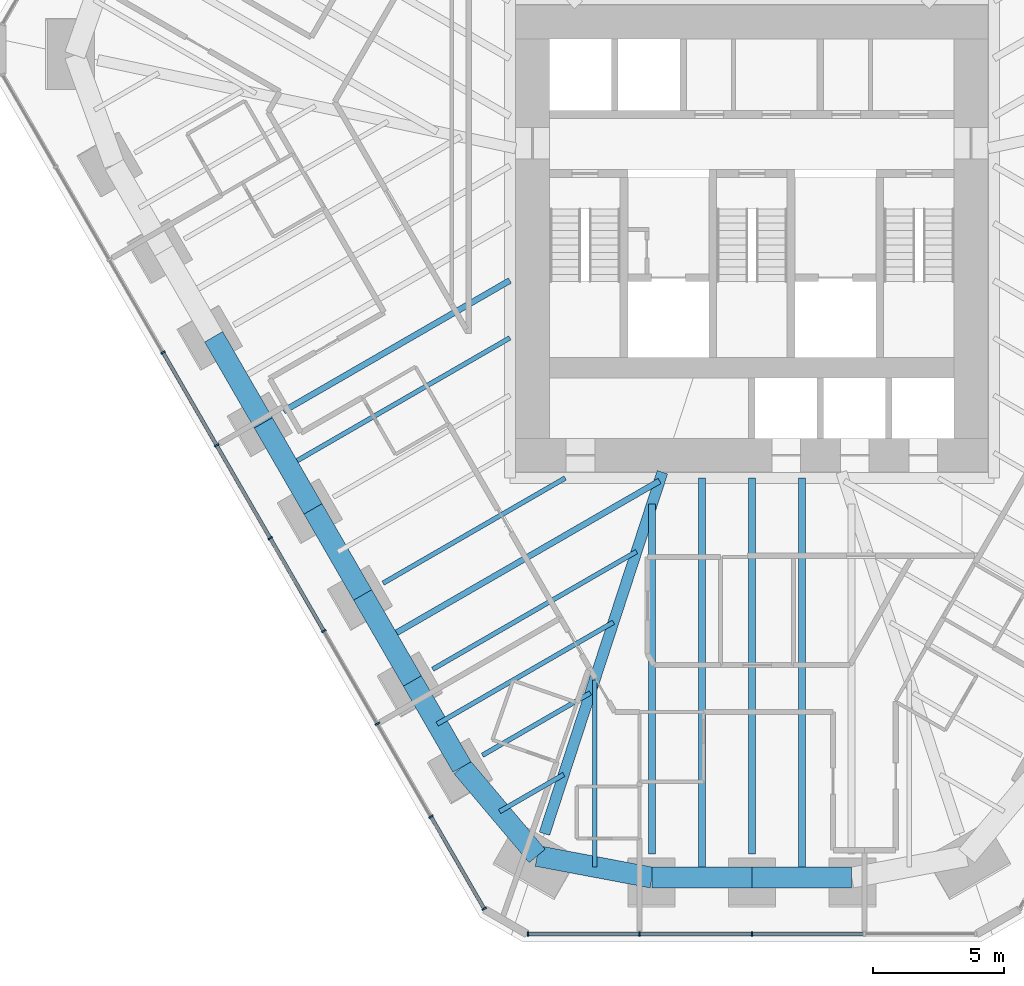
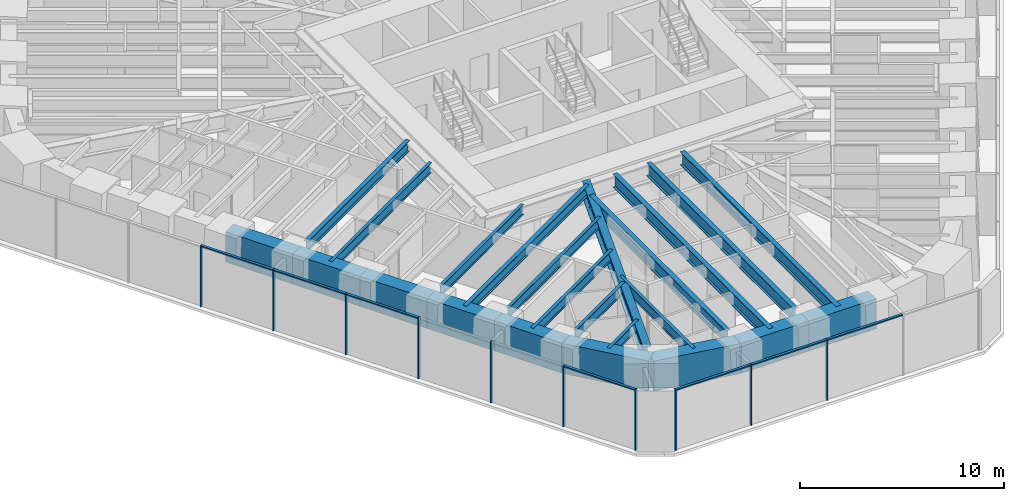
# One storey, part 2 of 17: 23 beams, 17 members, 2 elements without a shape of their own.
"""IFC4 building model written with IfcOpenShell, lengths in metres."""

from ifc_helpers import new_model, si_unit, direction, frame, origin, origin_2d, place, context, subcontext, project, spatial, rectangle, i_section, extrude, material, material_profile, profile_set, type_object, element, aggregate, save


model = new_model("IFC4")

# Units and contexts
model_context = context("Model", 3, precision=1e-05, world=origin(), true_north=direction((0.0, 1.0)))
body_context = subcontext(model_context, "Body", "Model", "MODEL_VIEW")
ifc_project = project(units=[si_unit("LENGTHUNIT", "METRE"), si_unit("AREAUNIT", "SQUARE_METRE"), si_unit("VOLUMEUNIT", "CUBIC_METRE"), si_unit("PLANEANGLEUNIT", "RADIAN"), si_unit("MASSUNIT", "GRAM", prefix="KILO")], contexts=[model_context])

# Site, building, storey
site_placement = place(None, origin())
site = spatial("IfcSite", under=ifc_project, at=site_placement, CompositionType="ELEMENT")
building_placement = place(site_placement, origin())
building = spatial("IfcBuilding", under=site, at=building_placement, Name="Sandreach Pilgrim Tower", CompositionType="ELEMENT")
storey_placement = place(building_placement, frame((0.0, 0.0, 161.39990234375)))
storey = spatial("IfcBuildingStorey", under=building, at=storey_placement, Name="L40", CompositionType="ELEMENT", Elevation=161.39990234375)

# Curtain wall, members
ifc_material_1 = material(Name="Aluminium framed curtain wall", Category="aluminium")
curtain_wall_type = type_object("IfcCurtainWallType", Name="Hotel tower curtain wall", PredefinedType="NOTDEFINED", material=ifc_material_1)
curtain_wall_1_placement = place(storey_placement, origin())
curtain_wall_1 = element("IfcCurtainWall", 1, at=curtain_wall_1_placement, inside=storey, type_object=curtain_wall_type, Name="CW-2 L40 S", PredefinedType="NOTDEFINED")
ifc_material_2 = material(Name="Aluminium extrusion", Category="aluminium")
ifc_material_profile_1 = material_profile(ifc_material_2, rectangle(XDim=0.06494140625, YDim=0.179931640625, at=origin_2d()), Name="CW-2M 65X180")
ifc_profile_set_1 = profile_set([ifc_material_profile_1], Name="Aluminium extrusion")
member_type_1 = type_object("IfcMemberType", Name="CW-2 mullion", PredefinedType="MULLION", material=ifc_profile_set_1)
member_1_placement = place(storey_placement, frame((0.0, -28.192138671875, 0.0), z_axis=(0.0, 0.0, 1.0), x_axis=(-1.0, 0.0, 0.0)))
member_1 = element("IfcMember", 2, at=member_1_placement, type_object=member_type_1, Name="CW-2 mullion 3", PredefinedType="MULLION", context=body_context, shape_type="SweptSolid", body=[
    extrude(rectangle(XDim=0.06494140625, YDim=0.179931640625, at=origin_2d()), origin(), (0.0, 0.0, 1.0), 3.64013671875),
])
member_2_placement = place(storey_placement, frame((-4.3056640625, -28.192138671875, 0.0), z_axis=(0.0, 0.0, 1.0), x_axis=(-1.0, 0.0, 0.0)))
member_2 = element("IfcMember", 3, at=member_2_placement, type_object=member_type_1, Name="CW-2 mullion 4", PredefinedType="MULLION", context=body_context, shape_type="SweptSolid", body=[
    extrude(rectangle(XDim=0.06494140625, YDim=0.179931640625, at=origin_2d()), origin(), (0.0, 0.0, 1.0), 3.64013671875),
])
member_3_placement = place(storey_placement, frame((-8.578857421875, -28.192138671875, 0.0), z_axis=(0.0, 0.0, 1.0), x_axis=(-1.0, 0.0, 0.0)))
member_3 = element("IfcMember", 4, at=member_3_placement, type_object=member_type_1, Name="CW-2 mullion 5", PredefinedType="MULLION", context=body_context, shape_type="SweptSolid", body=[
    extrude(rectangle(XDim=0.06494140625, YDim=0.179931640625, at=origin_2d()), origin(), (0.0, 0.0, 1.0), 3.64013671875),
])

curtain_wall_2_placement = place(storey_placement, origin())
curtain_wall_2 = element("IfcCurtainWall", 5, at=curtain_wall_2_placement, inside=storey, type_object=curtain_wall_type, Name="CW-2 L40 SW", PredefinedType="NOTDEFINED")
member_4_placement = place(storey_placement, frame((-10.255859375, -27.22412109375, 0.0), z_axis=(0.0, 0.0, 1.0), x_axis=(-0.5, 0.866025403784, 0.0)))
member_4 = element("IfcMember", 6, at=member_4_placement, type_object=member_type_1, Name="CW-2 mullion 1", PredefinedType="MULLION", context=body_context, shape_type="SweptSolid", body=[
    extrude(rectangle(XDim=0.06494140625, YDim=0.179931640625, at=origin_2d()), origin(), (0.0, 0.0, 1.0), 3.64013671875),
])
member_5_placement = place(storey_placement, frame((-12.29296875, -23.695556640625, 0.0), z_axis=(0.0, 0.0, 1.0), x_axis=(-0.5, 0.866025403784, 0.0)))
member_5 = element("IfcMember", 7, at=member_5_placement, type_object=member_type_1, Name="CW-2 mullion 2", PredefinedType="MULLION", context=body_context, shape_type="SweptSolid", body=[
    extrude(rectangle(XDim=0.06494140625, YDim=0.179931640625, at=origin_2d()), origin(), (0.0, 0.0, 1.0), 3.64013671875),
])
member_6_placement = place(storey_placement, frame((-14.346435546875, -20.138671875, 0.0), z_axis=(0.0, 0.0, 1.0), x_axis=(-0.5, 0.866025403784, 0.0)))
member_6 = element("IfcMember", 8, at=member_6_placement, type_object=member_type_1, Name="CW-2 mullion 3", PredefinedType="MULLION", context=body_context, shape_type="SweptSolid", body=[
    extrude(rectangle(XDim=0.06494140625, YDim=0.179931640625, at=origin_2d()), origin(), (0.0, 0.0, 1.0), 3.64013671875),
])
member_7_placement = place(storey_placement, frame((-16.39990234375, -16.58203125, 0.0), z_axis=(0.0, 0.0, 1.0), x_axis=(-0.5, 0.866025403784, 0.0)))
member_7 = element("IfcMember", 9, at=member_7_placement, type_object=member_type_1, Name="CW-2 mullion 4", PredefinedType="MULLION", context=body_context, shape_type="SweptSolid", body=[
    extrude(rectangle(XDim=0.06494140625, YDim=0.179931640625, at=origin_2d()), origin(), (0.0, 0.0, 1.0), 3.64013671875),
])
member_8_placement = place(storey_placement, frame((-18.453369140625, -13.025146484375, 0.0), z_axis=(0.0, 0.0, 1.0), x_axis=(-0.5, 0.866025403784, 0.0)))
member_8 = element("IfcMember", 10, at=member_8_placement, type_object=member_type_1, Name="CW-2 mullion 5", PredefinedType="MULLION", context=body_context, shape_type="SweptSolid", body=[
    extrude(rectangle(XDim=0.06494140625, YDim=0.179931640625, at=origin_2d()), origin(), (0.0, 0.0, 1.0), 3.64013671875),
])
member_9_placement = place(storey_placement, frame((-20.5068359375, -9.468505859375, 0.0), z_axis=(0.0, 0.0, 1.0), x_axis=(-0.5, 0.866025403784, 0.0)))
member_9 = element("IfcMember", 11, at=member_9_placement, type_object=member_type_1, Name="CW-2 mullion 6", PredefinedType="MULLION", context=body_context, shape_type="SweptSolid", body=[
    extrude(rectangle(XDim=0.06494140625, YDim=0.179931640625, at=origin_2d()), origin(), (0.0, 0.0, 1.0), 3.64013671875),
])
member_10_placement = place(storey_placement, frame((-22.560302734375, -5.911865234375, 0.0), z_axis=(0.0, 0.0, 1.0), x_axis=(-0.5, 0.866025403784, 0.0)))
member_10 = element("IfcMember", 12, at=member_10_placement, type_object=member_type_1, Name="CW-2 mullion 7", PredefinedType="MULLION", context=body_context, shape_type="SweptSolid", body=[
    extrude(rectangle(XDim=0.06494140625, YDim=0.179931640625, at=origin_2d()), origin(), (0.0, 0.0, 1.0), 3.64013671875),
])

# Member
ifc_material_3 = material(Name="Aluminium extrusion", Category="aluminium")
ifc_material_profile_2 = material_profile(ifc_material_3, rectangle(XDim=0.139892578125, YDim=0.070068359375, at=origin_2d()), Name="CW-2T 140X70")
ifc_profile_set_2 = profile_set([ifc_material_profile_2], Name="Aluminium extrusion")
member_type_2 = type_object("IfcMemberType", Name="CW-2 transom", PredefinedType="USERDEFINED", material=ifc_profile_set_2)
member_11_placement = place(storey_placement, frame((4.273193359375, -28.192138671875, 3.60498046875), z_axis=(-1.0, 0.0, 0.0), x_axis=(0.0, -1.0, 0.0)))
member_11 = element("IfcMember", 13, at=member_11_placement, type_object=member_type_2, Name="CW-2 head transom 2", ObjectType="TRANSOM", PredefinedType="USERDEFINED", context=body_context, shape_type="SweptSolid", body=[
    extrude(rectangle(XDim=0.139892578125, YDim=0.070068359375, at=origin_2d()), origin(), (0.0, 0.0, 1.0), 4.24072265625),
])

member_12_placement = place(storey_placement, frame((-0.032470703125, -28.192138671875, 3.60498046875), z_axis=(-1.0, 0.0, 0.0), x_axis=(0.0, -1.0, 0.0)))
member_12 = element("IfcMember", 14, at=member_12_placement, type_object=member_type_2, Name="CW-2 head transom 3", ObjectType="TRANSOM", PredefinedType="USERDEFINED", context=body_context, shape_type="SweptSolid", body=[
    extrude(rectangle(XDim=0.139892578125, YDim=0.070068359375, at=origin_2d()), origin(), (0.0, 0.0, 1.0), 4.24072265625),
])

member_13_placement = place(storey_placement, frame((-4.338134765625, -28.192138671875, 3.60498046875), z_axis=(-1.0, 0.0, 0.0), x_axis=(0.0, -1.0, 0.0)))
member_13 = element("IfcMember", 15, at=member_13_placement, type_object=member_type_2, Name="CW-2 head transom 4", ObjectType="TRANSOM", PredefinedType="USERDEFINED", context=body_context, shape_type="SweptSolid", body=[
    extrude(rectangle(XDim=0.139892578125, YDim=0.070068359375, at=origin_2d()), origin(), (0.0, 0.0, 1.0), 4.208251953125),
])

aggregate(curtain_wall_1, [member_1, member_2, member_3, member_11, member_12, member_13])

member_14_placement = place(storey_placement, frame((-10.27197265625, -27.196044921875, 3.60498046875), z_axis=(-0.500015851672, 0.866016251624, 0.0), x_axis=(-0.866016251624, -0.500015851672, 0.0)))
member_14 = element("IfcMember", 16, at=member_14_placement, type_object=member_type_2, Name="CW-2 head transom 1", ObjectType="TRANSOM", PredefinedType="USERDEFINED", context=body_context, shape_type="SweptSolid", body=[
    extrude(rectangle(XDim=0.139892578125, YDim=0.070068359375, at=origin_2d()), origin(), (0.0, 0.0, 1.0), 4.009521484375),
])

member_15_placement = place(storey_placement, frame((-16.416259765625, -16.553955078125, 3.60498046875), z_axis=(-0.499997818338, 0.866026663364, 0.0), x_axis=(-0.866026663364, -0.499997818338, 0.0)))
member_15 = element("IfcMember", 17, at=member_15_placement, type_object=member_type_2, Name="CW-2 head transom 4", ObjectType="TRANSOM", PredefinedType="USERDEFINED", context=body_context, shape_type="SweptSolid", body=[
    extrude(rectangle(XDim=0.139892578125, YDim=0.070068359375, at=origin_2d()), origin(), (0.0, 0.0, 1.0), 4.0419921875),
])

member_16_placement = place(storey_placement, frame((-18.4697265625, -12.9970703125, 3.60498046875), z_axis=(-0.499997818338, 0.866026663364, 0.0), x_axis=(-0.866026663364, -0.499997818338, 0.0)))
member_16 = element("IfcMember", 18, at=member_16_placement, type_object=member_type_2, Name="CW-2 head transom 5", ObjectType="TRANSOM", PredefinedType="USERDEFINED", context=body_context, shape_type="SweptSolid", body=[
    extrude(rectangle(XDim=0.139892578125, YDim=0.070068359375, at=origin_2d()), origin(), (0.0, 0.0, 1.0), 4.0419921875),
])

member_17_placement = place(storey_placement, frame((-20.523193359375, -9.4404296875, 3.60498046875), z_axis=(-0.499997818338, 0.866026663364, 0.0), x_axis=(-0.866026663364, -0.499997818338, 0.0)))
member_17 = element("IfcMember", 19, at=member_17_placement, type_object=member_type_2, Name="CW-2 head transom 6", ObjectType="TRANSOM", PredefinedType="USERDEFINED", context=body_context, shape_type="SweptSolid", body=[
    extrude(rectangle(XDim=0.139892578125, YDim=0.070068359375, at=origin_2d()), origin(), (0.0, 0.0, 1.0), 4.0419921875),
])

aggregate(curtain_wall_2, [member_4, member_5, member_6, member_7, member_8, member_9, member_10, member_14, member_15, member_16, member_17])

# Beams
ifc_material_4 = material(Name="Steel ASTM A992 Grade 50", Category="steel")
ifc_material_profile_3 = material_profile(ifc_material_4, i_section(OverallWidth=0.419189453125, OverallDepth=0.927001953125, WebThickness=0.019287109375, FlangeThickness=0.031982421875, at=origin_2d()), Name="W36X231")
ifc_profile_set_3 = profile_set([ifc_material_profile_3], Name="Steel ASTM A992 Grade 50")
beam_type_1 = type_object("IfcBeamType", Name="Corner girder W36X231", PredefinedType="BEAM", material=ifc_profile_set_3)
beam_1_placement = place(storey_placement, frame((-7.94775390625, -24.34814453125, 3.176513671875), z_axis=(0.310303802379, 0.950637444155, 0.0), x_axis=(-0.950637444155, 0.310303802379, 0.0)))
element("IfcBeam", 20, at=beam_1_placement, inside=storey, type_object=beam_type_1, Name="BM L40 CG26", PredefinedType="BEAM", context=body_context, shape_type="SweptSolid", body=[
    extrude(i_section(OverallWidth=0.419189453125, OverallDepth=0.927001953125, WebThickness=0.019287109375, FlangeThickness=0.031982421875, at=origin_2d()), origin(), (0.0, 0.0, 1.0), 14.567138671875),
])
ifc_material_5 = material(Name="Steel ASTM A992 Grade 50", Category="steel")
ifc_material_profile_4 = material_profile(ifc_material_5, i_section(OverallWidth=0.1787109375, OverallDepth=0.60205078125, WebThickness=0.010986328125, FlangeThickness=0.014892578125, at=origin_2d()), Name="W24X62")
ifc_profile_set_4 = profile_set([ifc_material_profile_4], Name="Steel ASTM A992 Grade 50")
beam_type_2 = type_object("IfcBeamType", Name="Floor beam W24X62", PredefinedType="BEAM", material=ifc_profile_set_4)
beam_2_placement = place(storey_placement, frame((-10.325439453125, -21.345458984375, 3.339111328125), z_axis=(0.866033259386, 0.499986393452, 0.0), x_axis=(-0.499986393452, 0.866033259386, 0.0)))
element("IfcBeam", 21, at=beam_2_placement, inside=storey, type_object=beam_type_2, Name="BM L40 F27", PredefinedType="BEAM", context=body_context, shape_type="SweptSolid", body=[
    extrude(i_section(OverallWidth=0.1787109375, OverallDepth=0.60205078125, WebThickness=0.010986328125, FlangeThickness=0.014892578125, at=origin_2d()), origin(), (0.0, 0.0, 1.0), 4.777587890625),
])
beam_3_placement = place(storey_placement, frame((-12.228759765625, -18.048828125, 3.339111328125), z_axis=(0.866031832868, 0.499988864335, 0.0), x_axis=(-0.499988864335, 0.866031832868, 0.0)))
element("IfcBeam", 22, at=beam_3_placement, inside=storey, type_object=beam_type_2, Name="BM L40 F28", PredefinedType="BEAM", context=body_context, shape_type="SweptSolid", body=[
    extrude(i_section(OverallWidth=0.1787109375, OverallDepth=0.60205078125, WebThickness=0.010986328125, FlangeThickness=0.014892578125, at=origin_2d()), origin(), (0.0, 0.0, 1.0), 9.016845703125),
])
beam_4_placement = place(storey_placement, frame((-14.132080078125, -14.75244140625, 3.339111328125), z_axis=(0.866020143075, 0.500009111705, 0.0), x_axis=(-0.500009111705, 0.866020143075, 0.0)))
element("IfcBeam", 23, at=beam_4_placement, inside=storey, type_object=beam_type_2, Name="BM L40 F29", PredefinedType="BEAM", context=body_context, shape_type="SweptSolid", body=[
    extrude(i_section(OverallWidth=0.1787109375, OverallDepth=0.60205078125, WebThickness=0.010986328125, FlangeThickness=0.014892578125, at=origin_2d()), origin(), (0.0, 0.0, 1.0), 8.060302734375),
])
beam_5_placement = place(storey_placement, frame((-6.025146484375, -25.61865234375, 3.339111328125), z_axis=(0.0, 1.0, 0.0), x_axis=(-1.0, 0.0, 0.0)))
element("IfcBeam", 24, at=beam_5_placement, inside=storey, type_object=beam_type_2, Name="BM L40 FM25", PredefinedType="BEAM", context=body_context, shape_type="SweptSolid", body=[
    extrude(i_section(OverallWidth=0.1787109375, OverallDepth=0.60205078125, WebThickness=0.010986328125, FlangeThickness=0.014892578125, at=origin_2d()), origin(), (0.0, 0.0, 1.0), 7.16064453125),
])
beam_6_placement = place(storey_placement, frame((-9.666015625, -23.49951171875, 3.339111328125), z_axis=(0.866022320763, 0.500005339912, 0.0), x_axis=(-0.500005339912, 0.866022320763, 0.0)))
element("IfcBeam", 25, at=beam_6_placement, inside=storey, type_object=beam_type_2, Name="BM L40 FM26", PredefinedType="BEAM", context=body_context, shape_type="SweptSolid", body=[
    extrude(i_section(OverallWidth=0.1787109375, OverallDepth=0.60205078125, WebThickness=0.010986328125, FlangeThickness=0.014892578125, at=origin_2d()), origin(), (0.0, 0.0, 1.0), 2.8388671875),
])
beam_7_placement = place(storey_placement, frame((-12.056640625, -20.147216796875, 3.339111328125), z_axis=(0.866024469579, 0.500001618088, 0.0), x_axis=(-0.500001618088, 0.866024469579, 0.0)))
element("IfcBeam", 26, at=beam_7_placement, inside=storey, type_object=beam_type_2, Name="BM L40 FM27", PredefinedType="BEAM", context=body_context, shape_type="SweptSolid", body=[
    extrude(i_section(OverallWidth=0.1787109375, OverallDepth=0.60205078125, WebThickness=0.010986328125, FlangeThickness=0.014892578125, at=origin_2d()), origin(), (0.0, 0.0, 1.0), 7.79736328125),
])
beam_8_placement = place(storey_placement, frame((-17.766357421875, -10.257568359375, 3.339111328125), z_axis=(0.86602268681, 0.500004705908, 0.0), x_axis=(-0.500004705908, 0.86602268681, 0.0)))
element("IfcBeam", 27, at=beam_8_placement, inside=storey, type_object=beam_type_2, Name="BM L40 FM30", PredefinedType="BEAM", context=body_context, shape_type="SweptSolid", body=[
    extrude(i_section(OverallWidth=0.1787109375, OverallDepth=0.60205078125, WebThickness=0.010986328125, FlangeThickness=0.014892578125, at=origin_2d()), origin(), (0.0, 0.0, 1.0), 9.80859375),
])
ifc_material_6 = material(Name="Steel ASTM A992 Grade 50", Category="steel")
ifc_material_profile_5 = material_profile(ifc_material_6, i_section(OverallWidth=0.23046875, OverallDepth=0.6171875, WebThickness=0.01318359375, FlangeThickness=0.022216796875, at=origin_2d()), Name="W24X94")
ifc_profile_set_5 = profile_set([ifc_material_profile_5], Name="Steel ASTM A992 Grade 50")
beam_type_3 = type_object("IfcBeamType", Name="Floor beam W24X94", PredefinedType="BEAM", material=ifc_profile_set_5)
beam_9_placement = place(storey_placement, frame((-17.938720703125, -8.1591796875, 3.33154296875), z_axis=(0.866029177185, 0.499993464222, 0.0), x_axis=(-0.499993464222, 0.866029177185, 0.0)))
element("IfcBeam", 28, at=beam_9_placement, inside=storey, type_object=beam_type_3, Name="BM L40 F31", PredefinedType="BEAM", context=body_context, shape_type="SweptSolid", body=[
    extrude(i_section(OverallWidth=0.23046875, OverallDepth=0.6171875, WebThickness=0.01318359375, FlangeThickness=0.022216796875, at=origin_2d()), origin(), (0.0, 0.0, 1.0), 10.007568359375),
])
beam_10_placement = place(storey_placement, frame((-13.9599609375, -16.8505859375, 3.33154296875), z_axis=(0.866035279512, 0.499982894348, 0.0), x_axis=(-0.499982894348, 0.866035279512, 0.0)))
element("IfcBeam", 29, at=beam_10_placement, inside=storey, type_object=beam_type_3, Name="BM L40 FM28", PredefinedType="BEAM", context=body_context, shape_type="SweptSolid", body=[
    extrude(i_section(OverallWidth=0.23046875, OverallDepth=0.6171875, WebThickness=0.01318359375, FlangeThickness=0.022216796875, at=origin_2d()), origin(), (0.0, 0.0, 1.0), 12.03662109375),
])
ifc_material_7 = material(Name="Steel ASTM A992 Grade 50", Category="steel")
ifc_material_profile_6 = material_profile(ifc_material_7, i_section(OverallWidth=0.2666015625, OverallDepth=0.761962890625, WebThickness=0.014404296875, FlangeThickness=0.021484375, at=origin_2d()), Name="W30X116")
ifc_profile_set_6 = profile_set([ifc_material_profile_6], Name="Steel ASTM A992 Grade 50")
beam_type_4 = type_object("IfcBeamType", Name="Floor beam W30X116", PredefinedType="BEAM", material=ifc_profile_set_6)
beam_11_placement = place(storey_placement, frame((0.0, -25.133544921875, 3.259033203125), z_axis=(0.0, 1.0, 0.0), x_axis=(-1.0, 0.0, 0.0)))
element("IfcBeam", 30, at=beam_11_placement, inside=storey, type_object=beam_type_4, Name="BM L40 F24", PredefinedType="BEAM", context=body_context, shape_type="SweptSolid", body=[
    extrude(i_section(OverallWidth=0.2666015625, OverallDepth=0.761962890625, WebThickness=0.014404296875, FlangeThickness=0.021484375, at=origin_2d()), origin(), (0.0, 0.0, 1.0), 14.411376953125),
])
beam_12_placement = place(storey_placement, frame((-3.8232421875, -25.133544921875, 3.259033203125), z_axis=(0.0, 1.0, 0.0), x_axis=(-1.0, 0.0, 0.0)))
element("IfcBeam", 31, at=beam_12_placement, inside=storey, type_object=beam_type_4, Name="BM L40 F25", PredefinedType="BEAM", context=body_context, shape_type="SweptSolid", body=[
    extrude(i_section(OverallWidth=0.2666015625, OverallDepth=0.761962890625, WebThickness=0.014404296875, FlangeThickness=0.021484375, at=origin_2d()), origin(), (0.0, 0.0, 1.0), 13.421142578125),
])
ifc_material_8 = material(Name="Steel ASTM A992 Grade 50", Category="steel")
ifc_material_profile_7 = material_profile(ifc_material_8, i_section(OverallWidth=0.2666015625, OverallDepth=0.77978515625, WebThickness=0.0166015625, FlangeThickness=0.030029296875, at=origin_2d()), Name="W30X148")
ifc_profile_set_7 = profile_set([ifc_material_profile_7], Name="Steel ASTM A992 Grade 50")
beam_type_5 = type_object("IfcBeamType", Name="Floor beam W30X148", PredefinedType="BEAM", material=ifc_profile_set_7)
for number, where, z_axis, x_axis, name in (
    (32, (1.91162109375, -26.03369140625, 3.250244140625), (0.0, 1.0, 0.0), (-1.0, 0.0, 0.0), "BM L40 FM23"),
    (33, (-1.91162109375, -26.03369140625, 3.250244140625), (0.0, 1.0, 0.0), (-1.0, 0.0, 0.0), "BM L40 FM24"),
):
    element("IfcBeam", number, at=place(storey_placement, frame(where, z_axis=z_axis, x_axis=x_axis)), inside=storey, type_object=beam_type_5, Name=name, PredefinedType="BEAM", context=body_context, shape_type="SweptSolid", body=[
        extrude(i_section(OverallWidth=0.2666015625, OverallDepth=0.77978515625, WebThickness=0.0166015625, FlangeThickness=0.030029296875, at=origin_2d()), origin(), (0.0, 0.0, 1.0), 15.3115234375),
    ])
ifc_material_9 = material(Name="Concrete 10000 psi", Category="concrete")
ifc_material_profile_8 = material_profile(ifc_material_9, rectangle(XDim=0.800048828125, YDim=1.800048828125, at=origin_2d()), Name="RC800X1800")
ifc_profile_set_8 = profile_set([ifc_material_profile_8], Name="Concrete 10000 psi")
beam_type_6 = type_object("IfcBeamType", Name="Spandrel beam RC800X1800", PredefinedType="SPANDREL", material=ifc_profile_set_8)
for number, where, z_axis, x_axis, name in (
    (34, (3.8232421875, -26.03369140625, 2.739990234375), (-1.0, 0.0, 0.0), (0.0, -1.0, 0.0), "BM L40 SP23"),
    (35, (0.0, -26.03369140625, 2.739990234375), (-1.0, 0.0, 0.0), (0.0, -1.0, 0.0), "BM L40 SP24"),
):
    element("IfcBeam", number, at=place(storey_placement, frame(where, z_axis=z_axis, x_axis=x_axis)), inside=storey, type_object=beam_type_6, Name=name, PredefinedType="SPANDREL", context=body_context, shape_type="SweptSolid", body=[
        extrude(rectangle(XDim=0.800048828125, YDim=1.800048828125, at=origin_2d()), origin(), (0.0, 0.0, 1.0), 3.8232421875),
    ])
beam_13_placement = place(storey_placement, frame((-3.8232421875, -26.03369140625, 2.739990234375), z_axis=(-0.982695347549, 0.185229192908, 0.0), x_axis=(-0.185229192908, -0.982695347549, 0.0)))
element("IfcBeam", 36, at=beam_13_placement, inside=storey, type_object=beam_type_6, Name="BM L40 SP25", PredefinedType="SPANDREL", context=body_context, shape_type="SweptSolid", body=[
    extrude(rectangle(XDim=0.800048828125, YDim=1.800048828125, at=origin_2d()), origin(), (0.0, 0.0, 1.0), 4.4814453125),
])
beam_14_placement = place(storey_placement, frame((-8.22705078125, -25.20361328125, 2.739990234375), z_axis=(-0.645166618316, 0.764041906319, 0.0), x_axis=(-0.764041906319, -0.645166618316, 0.0)))
element("IfcBeam", 37, at=beam_14_placement, inside=storey, type_object=beam_type_6, Name="BM L40 SP26", PredefinedType="SPANDREL", context=body_context, shape_type="SweptSolid", body=[
    extrude(rectangle(XDim=0.800048828125, YDim=1.800048828125, at=origin_2d()), origin(), (0.0, 0.0, 1.0), 4.460693359375),
])
beam_15_placement = place(storey_placement, frame((-11.10498046875, -21.79541015625, 2.739990234375), z_axis=(-0.500029664053, 0.866008276558, 0.0), x_axis=(-0.866008276558, -0.500029664053, 0.0)))
element("IfcBeam", 38, at=beam_15_placement, inside=storey, type_object=beam_type_6, Name="BM L40 SP27", PredefinedType="SPANDREL", context=body_context, shape_type="SweptSolid", body=[
    extrude(rectangle(XDim=0.800048828125, YDim=1.800048828125, at=origin_2d()), origin(), (0.0, 0.0, 1.0), 3.806396484375),
])
beam_16_placement = place(storey_placement, frame((-13.00830078125, -18.4990234375, 2.739990234375), z_axis=(-0.500001891126, 0.866024311939, 0.0), x_axis=(-0.866024311939, -0.500001891126, 0.0)))
element("IfcBeam", 39, at=beam_16_placement, inside=storey, type_object=beam_type_6, Name="BM L40 SP28", PredefinedType="SPANDREL", context=body_context, shape_type="SweptSolid", body=[
    extrude(rectangle(XDim=0.800048828125, YDim=1.800048828125, at=origin_2d()), origin(), (0.0, 0.0, 1.0), 3.806640625),
])
beam_17_placement = place(storey_placement, frame((-14.91162109375, -15.202392578125, 2.739990234375), z_axis=(-0.499953787161, 0.866052083135, 0.0), x_axis=(-0.866052083135, -0.499953787161, 0.0)))
element("IfcBeam", 40, at=beam_17_placement, inside=storey, type_object=beam_type_6, Name="BM L40 SP29", PredefinedType="SPANDREL", context=body_context, shape_type="SweptSolid", body=[
    extrude(rectangle(XDim=0.800048828125, YDim=1.800048828125, at=origin_2d()), origin(), (0.0, 0.0, 1.0), 3.806396484375),
])
for number, where, z_axis, x_axis, name in (
    (41, (-16.814697265625, -11.90576171875, 2.739990234375), (-0.500001891126, 0.866024311939, 0.0), (-0.866024311939, -0.500001891126, 0.0), "BM L40 SP30"),
    (42, (-18.718017578125, -8.609130859375, 2.739990234375), (-0.500001891126, 0.866024311939, 0.0), (-0.866024311939, -0.500001891126, 0.0), "BM L40 SP31"),
):
    element("IfcBeam", number, at=place(storey_placement, frame(where, z_axis=z_axis, x_axis=x_axis)), inside=storey, type_object=beam_type_6, Name=name, PredefinedType="SPANDREL", context=body_context, shape_type="SweptSolid", body=[
        extrude(rectangle(XDim=0.800048828125, YDim=1.800048828125, at=origin_2d()), origin(), (0.0, 0.0, 1.0), 3.806640625),
    ])

save(model, "model.ifc")
